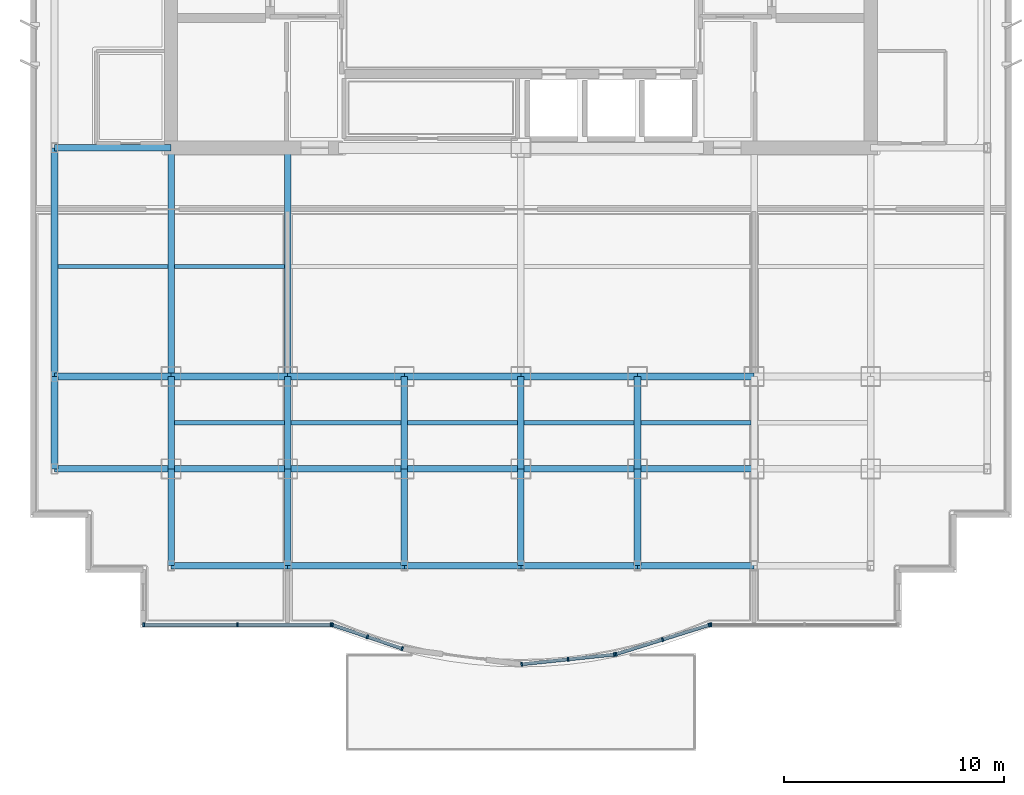
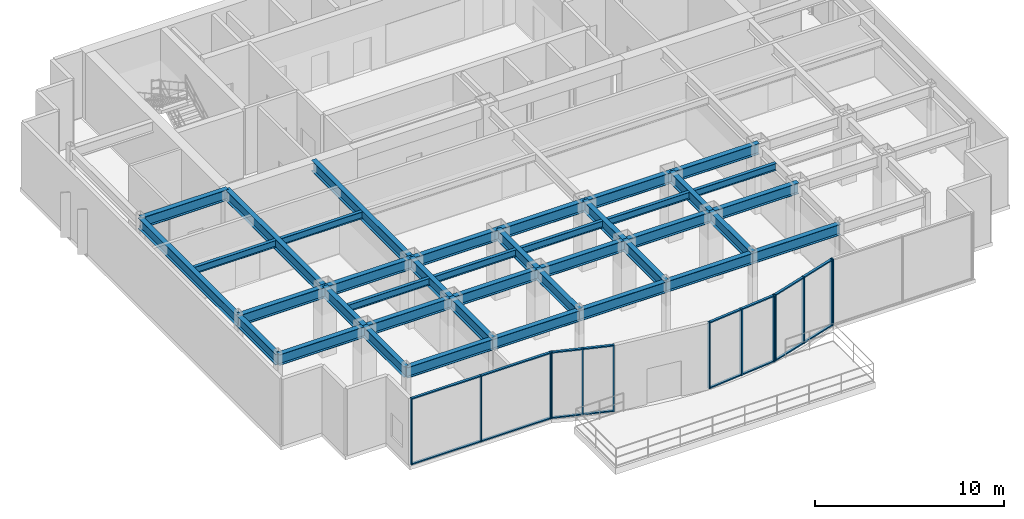
# One storey, part 2 of 9: 39 beams, 29 members, 5 elements without a shape of their own.
"""IFC4 building model written with IfcOpenShell, lengths in metres."""

from ifc_helpers import new_model, si_unit, direction, frame, origin, origin_2d, place, context, subcontext, project, spatial, rectangle, i_section, extrude, source, transform, mapped, material, layer, layer_set, material_profile, profile_set, type_object, element, aggregate, save


model = new_model("IFC4")

# Units and contexts
model_context = context("Model", 3, precision=1e-05, world=origin(), true_north=direction((0.0, 1.0)))
body_context = subcontext(model_context, "Body", "Model", "MODEL_VIEW")
ifc_project = project(units=[si_unit("LENGTHUNIT", "METRE"), si_unit("AREAUNIT", "SQUARE_METRE"), si_unit("VOLUMEUNIT", "CUBIC_METRE"), si_unit("PLANEANGLEUNIT", "RADIAN"), si_unit("MASSUNIT", "GRAM", prefix="KILO")], contexts=[model_context])

# Site, building, storey
site_placement = place(None, origin())
site = spatial("IfcSite", under=ifc_project, at=site_placement, CompositionType="ELEMENT")
building_placement = place(site_placement, origin())
building = spatial("IfcBuilding", under=site, at=building_placement, Name="Qianlan Lanfeng Residences", CompositionType="ELEMENT")
storey_placement = place(building_placement, frame((0.0, 0.0, 134.699951171875)))
storey = spatial("IfcBuildingStorey", under=building, at=storey_placement, Name="L36", CompositionType="ELEMENT", Elevation=134.699951171875)

# Beams
ifc_material_1 = material(Name="Steel SN490B", Category="steel")
ifc_material_profile_1 = material_profile(ifc_material_1, i_section(OverallWidth=0.300048828125, OverallDepth=0.699951171875, WebThickness=0.012939453125, FlangeThickness=0.02392578125, at=origin_2d()), Name="H 700x300x13x24")
ifc_profile_set_1 = profile_set([ifc_material_profile_1], Name="Steel SN490B")
beam_type_1 = type_object("IfcBeamType", Name="G-750", PredefinedType="BEAM", material=ifc_profile_set_1)
beam_1_placement = place(storey_placement, frame((5.300048828125, 10.60009765625, 3.949951171875), z_axis=(1.0, 0.0, 0.0), x_axis=(0.0, 1.0, 0.0)))
element("IfcBeam", 1, at=beam_1_placement, inside=storey, type_object=beam_type_1, Name="Structural beam G-750", PredefinedType="BEAM", context=body_context, shape_type="SweptSolid", body=[
    extrude(i_section(OverallWidth=0.300048828125, OverallDepth=0.699951171875, WebThickness=0.012939453125, FlangeThickness=0.02392578125, at=origin_2d()), origin(), (0.0, 0.0, 1.0), 5.300048828125),
])
beam_2_placement = place(storey_placement, frame((10.60009765625, 10.60009765625, 3.949951171875), z_axis=(1.0, 0.0, 0.0), x_axis=(0.0, 1.0, 0.0)))
element("IfcBeam", 2, at=beam_2_placement, inside=storey, type_object=beam_type_1, Name="Structural beam G-750", PredefinedType="BEAM", context=body_context, shape_type="SweptSolid", body=[
    extrude(i_section(OverallWidth=0.300048828125, OverallDepth=0.699951171875, WebThickness=0.012939453125, FlangeThickness=0.02392578125, at=origin_2d()), origin(), (0.0, 0.0, 1.0), 5.2998046875),
])
for number, where, z_axis, x_axis, name in (
    (3, (15.89990234375, 10.60009765625, 3.949951171875), (1.0, 0.0, 0.0), (0.0, 1.0, 0.0), "Structural beam G-750"),
    (4, (21.199951171875, 10.60009765625, 3.949951171875), (1.0, 0.0, 0.0), (0.0, 1.0, 0.0), "Structural beam G-750"),
    (5, (26.5, 10.60009765625, 3.949951171875), (1.0, 0.0, 0.0), (0.0, 1.0, 0.0), "Structural beam G-750"),
    (6, (31.800048828125, 10.60009765625, 3.949951171875), (1.0, 0.0, 0.0), (0.0, 1.0, 0.0), "Structural beam G-750"),
    (7, (5.300048828125, 14.800048828125, 3.949951171875), (1.0, 0.0, 0.0), (0.0, 1.0, 0.0), "Structural beam G-750"),
):
    element("IfcBeam", number, at=place(storey_placement, frame(where, z_axis=z_axis, x_axis=x_axis)), inside=storey, type_object=beam_type_1, Name=name, PredefinedType="BEAM", context=body_context, shape_type="SweptSolid", body=[
        extrude(i_section(OverallWidth=0.300048828125, OverallDepth=0.699951171875, WebThickness=0.012939453125, FlangeThickness=0.02392578125, at=origin_2d()), origin(), (0.0, 0.0, 1.0), 5.300048828125),
    ])
beam_3_placement = place(storey_placement, frame((10.60009765625, 14.800048828125, 3.949951171875), z_axis=(1.0, 0.0, 0.0), x_axis=(0.0, 1.0, 0.0)))
element("IfcBeam", 8, at=beam_3_placement, inside=storey, type_object=beam_type_1, Name="Structural beam G-750", PredefinedType="BEAM", context=body_context, shape_type="SweptSolid", body=[
    extrude(i_section(OverallWidth=0.300048828125, OverallDepth=0.699951171875, WebThickness=0.012939453125, FlangeThickness=0.02392578125, at=origin_2d()), origin(), (0.0, 0.0, 1.0), 5.2998046875),
])
for number, where, z_axis, x_axis, name in (
    (9, (15.89990234375, 14.800048828125, 3.949951171875), (1.0, 0.0, 0.0), (0.0, 1.0, 0.0), "Structural beam G-750"),
    (10, (21.199951171875, 14.800048828125, 3.949951171875), (1.0, 0.0, 0.0), (0.0, 1.0, 0.0), "Structural beam G-750"),
    (11, (26.5, 14.800048828125, 3.949951171875), (1.0, 0.0, 0.0), (0.0, 1.0, 0.0), "Structural beam G-750"),
    (12, (31.800048828125, 14.800048828125, 3.949951171875), (1.0, 0.0, 0.0), (0.0, 1.0, 0.0), "Structural beam G-750"),
    (13, (5.300048828125, 25.199951171875, 3.949951171875), (1.0, 0.0, 0.0), (0.0, 1.0, 0.0), "Structural beam G-750"),
):
    element("IfcBeam", number, at=place(storey_placement, frame(where, z_axis=z_axis, x_axis=x_axis)), inside=storey, type_object=beam_type_1, Name=name, PredefinedType="BEAM", context=body_context, shape_type="SweptSolid", body=[
        extrude(i_section(OverallWidth=0.300048828125, OverallDepth=0.699951171875, WebThickness=0.012939453125, FlangeThickness=0.02392578125, at=origin_2d()), origin(), (0.0, 0.0, 1.0), 5.300048828125),
    ])
beam_4_placement = place(storey_placement, frame((10.60009765625, 6.199951171875, 3.949951171875), z_axis=(0.0, 1.0, 0.0), x_axis=(-1.0, 0.0, 0.0)))
element("IfcBeam", 14, at=beam_4_placement, inside=storey, type_object=beam_type_1, Name="Structural beam G-750", PredefinedType="BEAM", context=body_context, shape_type="SweptSolid", body=[
    extrude(i_section(OverallWidth=0.300048828125, OverallDepth=0.699951171875, WebThickness=0.012939453125, FlangeThickness=0.02392578125, at=origin_2d()), origin(), (0.0, 0.0, 1.0), 4.400146484375),
])
beam_5_placement = place(storey_placement, frame((10.60009765625, 10.60009765625, 3.949951171875), z_axis=(0.0, 1.0, 0.0), x_axis=(-1.0, 0.0, 0.0)))
element("IfcBeam", 15, at=beam_5_placement, inside=storey, type_object=beam_type_1, Name="Structural beam G-750", PredefinedType="BEAM", context=body_context, shape_type="SweptSolid", body=[
    extrude(i_section(OverallWidth=0.300048828125, OverallDepth=0.699951171875, WebThickness=0.012939453125, FlangeThickness=0.02392578125, at=origin_2d()), origin(), (0.0, 0.0, 1.0), 4.199951171875),
])
beam_6_placement = place(storey_placement, frame((10.60009765625, 14.800048828125, 3.949951171875), z_axis=(0.0, 1.0, 0.0), x_axis=(-1.0, 0.0, 0.0)))
element("IfcBeam", 16, at=beam_6_placement, inside=storey, type_object=beam_type_1, Name="Structural beam G-750", PredefinedType="BEAM", context=body_context, shape_type="SweptSolid", body=[
    extrude(i_section(OverallWidth=0.300048828125, OverallDepth=0.699951171875, WebThickness=0.012939453125, FlangeThickness=0.02392578125, at=origin_2d()), origin(), (0.0, 0.0, 1.0), 10.39990234375),
])
beam_7_placement = place(storey_placement, frame((15.89990234375, 6.199951171875, 3.949951171875), z_axis=(0.0, 1.0, 0.0), x_axis=(-1.0, 0.0, 0.0)))
element("IfcBeam", 17, at=beam_7_placement, inside=storey, type_object=beam_type_1, Name="Structural beam G-750", PredefinedType="BEAM", context=body_context, shape_type="SweptSolid", body=[
    extrude(i_section(OverallWidth=0.300048828125, OverallDepth=0.699951171875, WebThickness=0.012939453125, FlangeThickness=0.02392578125, at=origin_2d()), origin(), (0.0, 0.0, 1.0), 4.400146484375),
])
beam_8_placement = place(storey_placement, frame((15.89990234375, 10.60009765625, 3.949951171875), z_axis=(0.0, 1.0, 0.0), x_axis=(-1.0, 0.0, 0.0)))
element("IfcBeam", 18, at=beam_8_placement, inside=storey, type_object=beam_type_1, Name="Structural beam G-750", PredefinedType="BEAM", context=body_context, shape_type="SweptSolid", body=[
    extrude(i_section(OverallWidth=0.300048828125, OverallDepth=0.699951171875, WebThickness=0.012939453125, FlangeThickness=0.02392578125, at=origin_2d()), origin(), (0.0, 0.0, 1.0), 4.199951171875),
])
beam_9_placement = place(storey_placement, frame((15.89990234375, 14.800048828125, 3.949951171875), z_axis=(0.0, 1.0, 0.0), x_axis=(-1.0, 0.0, 0.0)))
element("IfcBeam", 19, at=beam_9_placement, inside=storey, type_object=beam_type_1, Name="Structural beam G-750", PredefinedType="BEAM", context=body_context, shape_type="SweptSolid", body=[
    extrude(i_section(OverallWidth=0.300048828125, OverallDepth=0.699951171875, WebThickness=0.012939453125, FlangeThickness=0.02392578125, at=origin_2d()), origin(), (0.0, 0.0, 1.0), 10.39990234375),
])
beam_10_placement = place(storey_placement, frame((21.199951171875, 6.199951171875, 3.949951171875), z_axis=(0.0, 1.0, 0.0), x_axis=(-1.0, 0.0, 0.0)))
element("IfcBeam", 20, at=beam_10_placement, inside=storey, type_object=beam_type_1, Name="Structural beam G-750", PredefinedType="BEAM", context=body_context, shape_type="SweptSolid", body=[
    extrude(i_section(OverallWidth=0.300048828125, OverallDepth=0.699951171875, WebThickness=0.012939453125, FlangeThickness=0.02392578125, at=origin_2d()), origin(), (0.0, 0.0, 1.0), 4.400146484375),
])
beam_11_placement = place(storey_placement, frame((21.199951171875, 10.60009765625, 3.949951171875), z_axis=(0.0, 1.0, 0.0), x_axis=(-1.0, 0.0, 0.0)))
element("IfcBeam", 21, at=beam_11_placement, inside=storey, type_object=beam_type_1, Name="Structural beam G-750", PredefinedType="BEAM", context=body_context, shape_type="SweptSolid", body=[
    extrude(i_section(OverallWidth=0.300048828125, OverallDepth=0.699951171875, WebThickness=0.012939453125, FlangeThickness=0.02392578125, at=origin_2d()), origin(), (0.0, 0.0, 1.0), 4.199951171875),
])
beam_12_placement = place(storey_placement, frame((26.5, 6.199951171875, 3.949951171875), z_axis=(0.0, 1.0, 0.0), x_axis=(-1.0, 0.0, 0.0)))
element("IfcBeam", 22, at=beam_12_placement, inside=storey, type_object=beam_type_1, Name="Structural beam G-750", PredefinedType="BEAM", context=body_context, shape_type="SweptSolid", body=[
    extrude(i_section(OverallWidth=0.300048828125, OverallDepth=0.699951171875, WebThickness=0.012939453125, FlangeThickness=0.02392578125, at=origin_2d()), origin(), (0.0, 0.0, 1.0), 4.400146484375),
])
beam_13_placement = place(storey_placement, frame((26.5, 10.60009765625, 3.949951171875), z_axis=(0.0, 1.0, 0.0), x_axis=(-1.0, 0.0, 0.0)))
element("IfcBeam", 23, at=beam_13_placement, inside=storey, type_object=beam_type_1, Name="Structural beam G-750", PredefinedType="BEAM", context=body_context, shape_type="SweptSolid", body=[
    extrude(i_section(OverallWidth=0.300048828125, OverallDepth=0.699951171875, WebThickness=0.012939453125, FlangeThickness=0.02392578125, at=origin_2d()), origin(), (0.0, 0.0, 1.0), 4.199951171875),
])
beam_14_placement = place(storey_placement, frame((31.800048828125, 6.199951171875, 3.949951171875), z_axis=(0.0, 1.0, 0.0), x_axis=(-1.0, 0.0, 0.0)))
element("IfcBeam", 24, at=beam_14_placement, inside=storey, type_object=beam_type_1, Name="Structural beam G-750", PredefinedType="BEAM", context=body_context, shape_type="SweptSolid", body=[
    extrude(i_section(OverallWidth=0.300048828125, OverallDepth=0.699951171875, WebThickness=0.012939453125, FlangeThickness=0.02392578125, at=origin_2d()), origin(), (0.0, 0.0, 1.0), 4.400146484375),
])
beam_15_placement = place(storey_placement, frame((31.800048828125, 10.60009765625, 3.949951171875), z_axis=(0.0, 1.0, 0.0), x_axis=(-1.0, 0.0, 0.0)))
element("IfcBeam", 25, at=beam_15_placement, inside=storey, type_object=beam_type_1, Name="Structural beam G-750", PredefinedType="BEAM", context=body_context, shape_type="SweptSolid", body=[
    extrude(i_section(OverallWidth=0.300048828125, OverallDepth=0.699951171875, WebThickness=0.012939453125, FlangeThickness=0.02392578125, at=origin_2d()), origin(), (0.0, 0.0, 1.0), 4.199951171875),
])
ifc_material_profile_2 = material_profile(ifc_material_1, i_section(OverallWidth=0.199951171875, OverallDepth=0.449951171875, WebThickness=0.009033203125, FlangeThickness=0.013916015625, at=origin_2d()), Name="H 450x200x9x14")
ifc_profile_set_2 = profile_set([ifc_material_profile_2], Name="Steel SN490B")
beam_type_2 = type_object("IfcBeamType", Name="J-450", PredefinedType="JOIST", material=ifc_profile_set_2)
for number, where, z_axis, x_axis, name in (
    (26, (10.75, 12.699951171875, 4.074951171875), (1.0, 0.0, 0.0), (0.0, 1.0, 0.0), "Structural beam J-450"),
    (27, (16.050048828125, 12.699951171875, 4.074951171875), (1.0, 0.0, 0.0), (0.0, 1.0, 0.0), "Structural beam J-450"),
    (28, (21.35009765625, 12.699951171875, 4.074951171875), (1.0, 0.0, 0.0), (0.0, 1.0, 0.0), "Structural beam J-450"),
    (29, (26.64990234375, 12.699951171875, 4.074951171875), (1.0, 0.0, 0.0), (0.0, 1.0, 0.0), "Structural beam J-450"),
    (30, (31.949951171875, 12.699951171875, 4.074951171875), (1.0, 0.0, 0.0), (0.0, 1.0, 0.0), "Structural beam J-450"),
    (31, (5.449951171875, 19.800048828125, 4.074951171875), (1.0, 0.0, 0.0), (0.0, 1.0, 0.0), "Structural beam J-450"),
    (32, (10.75, 19.800048828125, 4.074951171875), (1.0, 0.0, 0.0), (0.0, 1.0, 0.0), "Structural beam J-450"),
):
    element("IfcBeam", number, at=place(storey_placement, frame(where, z_axis=z_axis, x_axis=x_axis)), inside=storey, type_object=beam_type_2, Name=name, PredefinedType="JOIST", context=body_context, shape_type="SweptSolid", body=[
        extrude(i_section(OverallWidth=0.199951171875, OverallDepth=0.449951171875, WebThickness=0.009033203125, FlangeThickness=0.013916015625, at=origin_2d()), origin(), (0.0, 0.0, 1.0), 5.0),
    ])
ifc_material_profile_3 = material_profile(ifc_material_1, i_section(OverallWidth=0.300048828125, OverallDepth=0.699951171875, WebThickness=0.012939453125, FlangeThickness=0.02392578125, at=origin_2d()), Name="H 700x300x13x24")
ifc_profile_set_3 = profile_set([ifc_material_profile_3], Name="Steel SN490B")
beam_type_3 = type_object("IfcBeamType", Name="SG-750", PredefinedType="SPANDREL", material=ifc_profile_set_3)
beam_16_placement = place(storey_placement, frame((10.60009765625, 6.199951171875, 3.93994140625), z_axis=(1.0, 0.0, 0.0), x_axis=(0.0, 1.0, 0.0)))
element("IfcBeam", 33, at=beam_16_placement, inside=storey, type_object=beam_type_3, Name="Structural beam SG-750", PredefinedType="SPANDREL", context=body_context, shape_type="SweptSolid", body=[
    extrude(i_section(OverallWidth=0.300048828125, OverallDepth=0.699951171875, WebThickness=0.012939453125, FlangeThickness=0.02392578125, at=origin_2d()), origin(), (0.0, 0.0, 1.0), 5.2998046875),
])
for number, where, z_axis, x_axis, name in (
    (34, (15.89990234375, 6.199951171875, 3.93994140625), (1.0, 0.0, 0.0), (0.0, 1.0, 0.0), "Structural beam SG-750"),
    (35, (21.199951171875, 6.199951171875, 3.93994140625), (1.0, 0.0, 0.0), (0.0, 1.0, 0.0), "Structural beam SG-750"),
    (36, (26.5, 6.199951171875, 3.93994140625), (1.0, 0.0, 0.0), (0.0, 1.0, 0.0), "Structural beam SG-750"),
    (37, (31.800048828125, 6.199951171875, 3.93994140625), (1.0, 0.0, 0.0), (0.0, 1.0, 0.0), "Structural beam SG-750"),
):
    element("IfcBeam", number, at=place(storey_placement, frame(where, z_axis=z_axis, x_axis=x_axis)), inside=storey, type_object=beam_type_3, Name=name, PredefinedType="SPANDREL", context=body_context, shape_type="SweptSolid", body=[
        extrude(i_section(OverallWidth=0.300048828125, OverallDepth=0.699951171875, WebThickness=0.012939453125, FlangeThickness=0.02392578125, at=origin_2d()), origin(), (0.0, 0.0, 1.0), 5.300048828125),
    ])
beam_17_placement = place(storey_placement, frame((5.300048828125, 10.60009765625, 3.93994140625), z_axis=(0.0, 1.0, 0.0), x_axis=(-1.0, 0.0, 0.0)))
element("IfcBeam", 38, at=beam_17_placement, inside=storey, type_object=beam_type_3, Name="Structural beam SG-750", PredefinedType="SPANDREL", context=body_context, shape_type="SweptSolid", body=[
    extrude(i_section(OverallWidth=0.300048828125, OverallDepth=0.699951171875, WebThickness=0.012939453125, FlangeThickness=0.02392578125, at=origin_2d()), origin(), (0.0, 0.0, 1.0), 4.199951171875),
])
beam_18_placement = place(storey_placement, frame((5.300048828125, 14.800048828125, 3.93994140625), z_axis=(0.0, 1.0, 0.0), x_axis=(-1.0, 0.0, 0.0)))
element("IfcBeam", 39, at=beam_18_placement, inside=storey, type_object=beam_type_3, Name="Structural beam SG-750", PredefinedType="SPANDREL", context=body_context, shape_type="SweptSolid", body=[
    extrude(i_section(OverallWidth=0.300048828125, OverallDepth=0.699951171875, WebThickness=0.012939453125, FlangeThickness=0.02392578125, at=origin_2d()), origin(), (0.0, 0.0, 1.0), 10.39990234375),
])

# Curtain wall, members
ifc_material_2 = material(Name="Anodised Bronze Aluminium 6063-T6", Category="aluminium")
ifc_layer = layer(ifc_material_2, 0.219970703125)
ifc_layer_set = layer_set([ifc_layer], Name="Anodised Bronze Aluminium 6063-T6")
curtain_wall_type = type_object("IfcCurtainWallType", Name="CW-04", PredefinedType="NOTDEFINED", material=ifc_layer_set)
curtain_wall_1_placement = place(storey_placement, origin())
curtain_wall_1 = element("IfcCurtainWall", 40, at=curtain_wall_1_placement, inside=storey, type_object=curtain_wall_type, Name="L36 Unitised Curtain Wall CWR-L36-01 (CW-04)", PredefinedType="NOTDEFINED")
ifc_material_profile_4 = material_profile(ifc_material_2, rectangle(XDim=0.074951171875, YDim=0.179931640625, at=origin_2d()), Name="ALU MULLION 75x180")
ifc_profile_set_4 = profile_set([ifc_material_profile_4], Name="Anodised Bronze Aluminium 6063-T6")
member_type_1 = type_object("IfcMemberType", Name="CWM-180", PredefinedType="MULLION", material=ifc_profile_set_4)
shared_shape_1 = source(origin(), body_context, "Body", "SweptSolid", [
    extrude(rectangle(XDim=0.074951171875, YDim=0.179931640625, at=origin_2d()), origin(), (0.0, 0.0, 1.0), 4.300048828125),
])
member_1_placement = place(storey_placement, frame((9.357421875, 3.52001953125, 0.0), z_axis=(0.0, 0.0, 1.0), x_axis=(1.0, 0.0, 0.0)))
member_1 = element("IfcMember", 41, at=member_1_placement, type_object=member_type_1, Name="CWR-L36-01 Mullion 1", PredefinedType="MULLION", context=body_context, shape_type="MappedRepresentation", body=[
    mapped(shared_shape_1, transform((0.0, 0.0, 0.0), scale=1.0)),
])
member_2_placement = place(storey_placement, frame((13.611572265625, 3.52001953125, 0.0), z_axis=(0.0, 0.0, 1.0), x_axis=(1.0, 0.0, 0.0)))
member_2 = element("IfcMember", 42, at=member_2_placement, type_object=member_type_1, Name="CWR-L36-01 Mullion 2", PredefinedType="MULLION", context=body_context, shape_type="MappedRepresentation", body=[
    mapped(shared_shape_1, transform((0.0, 0.0, 0.0), scale=1.0)),
])
member_3_placement = place(storey_placement, frame((17.865478515625, 3.52001953125, 0.0), z_axis=(0.0, 0.0, 1.0), x_axis=(1.0, 0.0, 0.0)))
member_3 = element("IfcMember", 43, at=member_3_placement, type_object=member_type_1, Name="CWR-L36-01 Mullion 3", PredefinedType="MULLION", context=body_context, shape_type="MappedRepresentation", body=[
    mapped(shared_shape_1, transform((0.0, 0.0, 0.0), scale=1.0)),
])

curtain_wall_2_placement = place(storey_placement, origin())
curtain_wall_2 = element("IfcCurtainWall", 44, at=curtain_wall_2_placement, inside=storey, type_object=curtain_wall_type, Name="L36 Unitised Curtain Wall CWR-L36-02 (CW-04)", PredefinedType="NOTDEFINED")
member_4_placement = place(storey_placement, frame((17.9384765625, 3.5078125, 0.0), z_axis=(0.0, 0.0, 1.0), x_axis=(0.946795963885, -0.321834433787, 0.0)))
member_4 = element("IfcMember", 45, at=member_4_placement, type_object=member_type_1, Name="CWR-L36-02 Mullion 1", PredefinedType="MULLION", context=body_context, shape_type="MappedRepresentation", body=[
    mapped(shared_shape_1, transform((0.0, 0.0, 0.0), scale=1.0)),
])
member_5_placement = place(storey_placement, frame((19.5224609375, 2.969482421875, 0.0), z_axis=(0.0, 0.0, 1.0), x_axis=(0.946795963885, -0.321834433787, 0.0)))
member_5 = element("IfcMember", 46, at=member_5_placement, type_object=member_type_1, Name="CWR-L36-02 Mullion 2", PredefinedType="MULLION", context=body_context, shape_type="MappedRepresentation", body=[
    mapped(shared_shape_1, transform((0.0, 0.0, 0.0), scale=1.0)),
])
member_6_placement = place(storey_placement, frame((21.1064453125, 2.43115234375, 0.0), z_axis=(0.0, 0.0, 1.0), x_axis=(0.946795963885, -0.321834433787, 0.0)))
member_6 = element("IfcMember", 47, at=member_6_placement, type_object=member_type_1, Name="CWR-L36-02 Mullion 3", PredefinedType="MULLION", context=body_context, shape_type="MappedRepresentation", body=[
    mapped(shared_shape_1, transform((0.0, 0.0, 0.0), scale=1.0)),
])

curtain_wall_3_placement = place(storey_placement, origin())
curtain_wall_3 = element("IfcCurtainWall", 48, at=curtain_wall_3_placement, inside=storey, type_object=curtain_wall_type, Name="L36 Unitised Curtain Wall CWR-L36-03 (CW-04)", PredefinedType="NOTDEFINED")
member_7_placement = place(storey_placement, frame((26.537353515625, 1.723876953125, 0.0), z_axis=(0.0, 0.0, 1.0), x_axis=(0.994579031105, 0.103983416397, 0.0)))
member_7 = element("IfcMember", 49, at=member_7_placement, type_object=member_type_1, Name="CWR-L36-03 Mullion 1", PredefinedType="MULLION", context=body_context, shape_type="MappedRepresentation", body=[
    mapped(shared_shape_1, transform((0.0, 0.0, 0.0), scale=1.0)),
])
member_8_placement = place(storey_placement, frame((28.642578125, 1.944091796875, 0.0), z_axis=(0.0, 0.0, 1.0), x_axis=(0.994579031105, 0.103983416397, 0.0)))
member_8 = element("IfcMember", 50, at=member_8_placement, type_object=member_type_1, Name="CWR-L36-03 Mullion 2", PredefinedType="MULLION", context=body_context, shape_type="MappedRepresentation", body=[
    mapped(shared_shape_1, transform((0.0, 0.0, 0.0), scale=1.0)),
])
member_9_placement = place(storey_placement, frame((30.747802734375, 2.1640625, 0.0), z_axis=(0.0, 0.0, 1.0), x_axis=(0.994579031105, 0.103983416397, 0.0)))
member_9 = element("IfcMember", 51, at=member_9_placement, type_object=member_type_1, Name="CWR-L36-03 Mullion 3", PredefinedType="MULLION", context=body_context, shape_type="MappedRepresentation", body=[
    mapped(shared_shape_1, transform((0.0, 0.0, 0.0), scale=1.0)),
])

curtain_wall_4_placement = place(storey_placement, origin())
curtain_wall_4 = element("IfcCurtainWall", 52, at=curtain_wall_4_placement, inside=storey, type_object=curtain_wall_type, Name="L36 Unitised Curtain Wall CWR-L36-04 (CW-04)", PredefinedType="NOTDEFINED")
member_10_placement = place(storey_placement, frame((30.82080078125, 2.17919921875, 0.0), z_axis=(0.0, 0.0, 1.0), x_axis=(0.954195954421, 0.299182353367, 0.0)))
member_10 = element("IfcMember", 53, at=member_10_placement, type_object=member_type_1, Name="CWR-L36-04 Mullion 1", PredefinedType="MULLION", context=body_context, shape_type="MappedRepresentation", body=[
    mapped(shared_shape_1, transform((0.0, 0.0, 0.0), scale=1.0)),
])
member_11_placement = place(storey_placement, frame((32.94091796875, 2.843994140625, 0.0), z_axis=(0.0, 0.0, 1.0), x_axis=(0.954195954421, 0.299182353367, 0.0)))
member_11 = element("IfcMember", 54, at=member_11_placement, type_object=member_type_1, Name="CWR-L36-04 Mullion 2", PredefinedType="MULLION", context=body_context, shape_type="MappedRepresentation", body=[
    mapped(shared_shape_1, transform((0.0, 0.0, 0.0), scale=1.0)),
])
member_12_placement = place(storey_placement, frame((35.061279296875, 3.5087890625, 0.0), z_axis=(0.0, 0.0, 1.0), x_axis=(0.954195954421, 0.299182353367, 0.0)))
member_12 = element("IfcMember", 55, at=member_12_placement, type_object=member_type_1, Name="CWR-L36-04 Mullion 3", PredefinedType="MULLION", context=body_context, shape_type="MappedRepresentation", body=[
    mapped(shared_shape_1, transform((0.0, 0.0, 0.0), scale=1.0)),
])

# Curtain wall, member
curtain_wall_5_placement = place(storey_placement, origin())
curtain_wall_5 = element("IfcCurtainWall", 56, at=curtain_wall_5_placement, inside=storey, type_object=curtain_wall_type, Name="L36 Unitised Curtain Wall CWR-L36-05 (CW-04)", PredefinedType="NOTDEFINED")
member_13_placement = place(storey_placement, frame((35.134521484375, 3.52001953125, 0.0), z_axis=(0.0, 0.0, 1.0), x_axis=(1.0, 0.0, 0.0)))
member_13 = element("IfcMember", 57, at=member_13_placement, type_object=member_type_1, Name="CWR-L36-05 Mullion 1", PredefinedType="MULLION", context=body_context, shape_type="MappedRepresentation", body=[
    mapped(shared_shape_1, transform((0.0, 0.0, 0.0), scale=1.0)),
])
aggregate(curtain_wall_5, [member_13])

# Member
ifc_material_profile_5 = material_profile(ifc_material_2, rectangle(XDim=0.074951171875, YDim=0.14990234375, at=origin_2d()), Name="ALU TRANSOM 75x150")
ifc_profile_set_5 = profile_set([ifc_material_profile_5], Name="Anodised Bronze Aluminium 6063-T6")
member_type_2 = type_object("IfcMemberType", Name="CWT-150", PredefinedType="USERDEFINED", material=ifc_profile_set_5)
shared_shape_2 = source(origin(), body_context, "Body", "SweptSolid", [
    extrude(rectangle(XDim=0.074951171875, YDim=0.14990234375, at=origin_2d()), origin(), (0.0, 0.0, 1.0), 4.178955078125),
])
member_14_placement = place(storey_placement, frame((9.39501953125, 3.52001953125, 0.03759765625), z_axis=(1.0, 0.0, 0.0), x_axis=(0.0, 0.0, 1.0)))
member_14 = element("IfcMember", 58, at=member_14_placement, type_object=member_type_2, Name="CWR-L36-01 Transom 1-BOT", ObjectType="TRANSOM", PredefinedType="USERDEFINED", context=body_context, shape_type="MappedRepresentation", body=[
    mapped(shared_shape_2, transform((0.0, 0.0, 0.0), scale=1.0)),
])

member_15_placement = place(storey_placement, frame((9.39501953125, 3.52001953125, 4.262451171875), z_axis=(1.0, 0.0, 0.0), x_axis=(0.0, 0.0, 1.0)))
member_15 = element("IfcMember", 59, at=member_15_placement, type_object=member_type_2, Name="CWR-L36-01 Transom 1-TOP", ObjectType="TRANSOM", PredefinedType="USERDEFINED", context=body_context, shape_type="MappedRepresentation", body=[
    mapped(shared_shape_2, transform((0.0, 0.0, 0.0), scale=1.0)),
])

member_16_placement = place(storey_placement, frame((13.64892578125, 3.52001953125, 0.03759765625), z_axis=(1.0, 0.0, 0.0), x_axis=(0.0, 0.0, 1.0)))
member_16 = element("IfcMember", 60, at=member_16_placement, type_object=member_type_2, Name="CWR-L36-01 Transom 2-BOT", ObjectType="TRANSOM", PredefinedType="USERDEFINED", context=body_context, shape_type="MappedRepresentation", body=[
    mapped(shared_shape_2, transform((0.0, 0.0, 0.0), scale=1.0)),
])

member_17_placement = place(storey_placement, frame((13.64892578125, 3.52001953125, 4.262451171875), z_axis=(1.0, 0.0, 0.0), x_axis=(0.0, 0.0, 1.0)))
member_17 = element("IfcMember", 61, at=member_17_placement, type_object=member_type_2, Name="CWR-L36-01 Transom 2-TOP", ObjectType="TRANSOM", PredefinedType="USERDEFINED", context=body_context, shape_type="MappedRepresentation", body=[
    mapped(shared_shape_2, transform((0.0, 0.0, 0.0), scale=1.0)),
])

aggregate(curtain_wall_1, [member_1, member_2, member_3, member_14, member_15, member_16, member_17])

shared_shape_3 = source(origin(), body_context, "Body", "SweptSolid", [
    extrude(rectangle(XDim=0.074951171875, YDim=0.14990234375, at=origin_2d()), origin(), (0.0, 0.0, 1.0), 1.597900390625),
])
member_18_placement = place(storey_placement, frame((17.97412109375, 3.495849609375, 0.03759765625), z_axis=(0.946818368584, -0.321768514481, 0.0), x_axis=(0.0, 0.0, 1.0)))
member_18 = element("IfcMember", 62, at=member_18_placement, type_object=member_type_2, Name="CWR-L36-02 Transom 1-BOT", ObjectType="TRANSOM", PredefinedType="USERDEFINED", context=body_context, shape_type="MappedRepresentation", body=[
    mapped(shared_shape_3, transform((0.0, 0.0, 0.0), scale=1.0)),
])

member_19_placement = place(storey_placement, frame((17.97412109375, 3.495849609375, 4.262451171875), z_axis=(0.946818368584, -0.321768514481, 0.0), x_axis=(0.0, 0.0, 1.0)))
member_19 = element("IfcMember", 63, at=member_19_placement, type_object=member_type_2, Name="CWR-L36-02 Transom 1-TOP", ObjectType="TRANSOM", PredefinedType="USERDEFINED", context=body_context, shape_type="MappedRepresentation", body=[
    mapped(shared_shape_3, transform((0.0, 0.0, 0.0), scale=1.0)),
])

member_20_placement = place(storey_placement, frame((19.55810546875, 2.95751953125, 0.03759765625), z_axis=(0.94677181357, -0.321905472195, 0.0), x_axis=(0.0, 0.0, 1.0)))
member_20 = element("IfcMember", 64, at=member_20_placement, type_object=member_type_2, Name="CWR-L36-02 Transom 2-BOT", ObjectType="TRANSOM", PredefinedType="USERDEFINED", context=body_context, shape_type="MappedRepresentation", body=[
    mapped(shared_shape_3, transform((0.0, 0.0, 0.0), scale=1.0)),
])

member_21_placement = place(storey_placement, frame((19.55810546875, 2.95751953125, 4.262451171875), z_axis=(0.94677181357, -0.321905472195, 0.0), x_axis=(0.0, 0.0, 1.0)))
member_21 = element("IfcMember", 65, at=member_21_placement, type_object=member_type_2, Name="CWR-L36-02 Transom 2-TOP", ObjectType="TRANSOM", PredefinedType="USERDEFINED", context=body_context, shape_type="MappedRepresentation", body=[
    mapped(shared_shape_3, transform((0.0, 0.0, 0.0), scale=1.0)),
])

aggregate(curtain_wall_2, [member_4, member_5, member_6, member_18, member_19, member_20, member_21])

shared_shape_4 = source(origin(), body_context, "Body", "SweptSolid", [
    extrude(rectangle(XDim=0.074951171875, YDim=0.14990234375, at=origin_2d()), origin(), (0.0, 0.0, 1.0), 2.04150390625),
])
member_22_placement = place(storey_placement, frame((26.57470703125, 1.727783203125, 0.03759765625), z_axis=(0.994573388245, 0.104037374988, 0.0), x_axis=(0.0, 0.0, 1.0)))
member_22 = element("IfcMember", 66, at=member_22_placement, type_object=member_type_2, Name="CWR-L36-03 Transom 1-BOT", ObjectType="TRANSOM", PredefinedType="USERDEFINED", context=body_context, shape_type="MappedRepresentation", body=[
    mapped(shared_shape_4, transform((0.0, 0.0, 0.0), scale=1.0)),
])

member_23_placement = place(storey_placement, frame((26.57470703125, 1.727783203125, 4.262451171875), z_axis=(0.994573388245, 0.104037374988, 0.0), x_axis=(0.0, 0.0, 1.0)))
member_23 = element("IfcMember", 67, at=member_23_placement, type_object=member_type_2, Name="CWR-L36-03 Transom 1-TOP", ObjectType="TRANSOM", PredefinedType="USERDEFINED", context=body_context, shape_type="MappedRepresentation", body=[
    mapped(shared_shape_4, transform((0.0, 0.0, 0.0), scale=1.0)),
])

shared_shape_5 = source(origin(), body_context, "Body", "SweptSolid", [
    extrude(rectangle(XDim=0.074951171875, YDim=0.14990234375, at=origin_2d()), origin(), (0.0, 0.0, 1.0), 2.041748046875),
])
member_24_placement = place(storey_placement, frame((28.6796875, 1.947998046875, 0.03759765625), z_axis=(0.994587046158, 0.103906725548, 0.0), x_axis=(0.0, 0.0, 1.0)))
member_24 = element("IfcMember", 68, at=member_24_placement, type_object=member_type_2, Name="CWR-L36-03 Transom 2-BOT", ObjectType="TRANSOM", PredefinedType="USERDEFINED", context=body_context, shape_type="MappedRepresentation", body=[
    mapped(shared_shape_5, transform((0.0, 0.0, 0.0), scale=1.0)),
])

member_25_placement = place(storey_placement, frame((28.6796875, 1.947998046875, 4.262451171875), z_axis=(0.994587046158, 0.103906725548, 0.0), x_axis=(0.0, 0.0, 1.0)))
member_25 = element("IfcMember", 69, at=member_25_placement, type_object=member_type_2, Name="CWR-L36-03 Transom 2-TOP", ObjectType="TRANSOM", PredefinedType="USERDEFINED", context=body_context, shape_type="MappedRepresentation", body=[
    mapped(shared_shape_5, transform((0.0, 0.0, 0.0), scale=1.0)),
])

aggregate(curtain_wall_3, [member_7, member_8, member_9, member_22, member_23, member_24, member_25])

shared_shape_6 = source(origin(), body_context, "Body", "SweptSolid", [
    extrude(rectangle(XDim=0.074951171875, YDim=0.14990234375, at=origin_2d()), origin(), (0.0, 0.0, 1.0), 2.14697265625),
])
member_26_placement = place(storey_placement, frame((30.856689453125, 2.1904296875, 0.03759765625), z_axis=(0.954194238714, 0.299187825296, 0.0), x_axis=(0.0, 0.0, 1.0)))
member_26 = element("IfcMember", 70, at=member_26_placement, type_object=member_type_2, Name="CWR-L36-04 Transom 1-BOT", ObjectType="TRANSOM", PredefinedType="USERDEFINED", context=body_context, shape_type="MappedRepresentation", body=[
    mapped(shared_shape_6, transform((0.0, 0.0, 0.0), scale=1.0)),
])

member_27_placement = place(storey_placement, frame((30.856689453125, 2.1904296875, 4.262451171875), z_axis=(0.954194238714, 0.299187825296, 0.0), x_axis=(0.0, 0.0, 1.0)))
member_27 = element("IfcMember", 71, at=member_27_placement, type_object=member_type_2, Name="CWR-L36-04 Transom 1-TOP", ObjectType="TRANSOM", PredefinedType="USERDEFINED", context=body_context, shape_type="MappedRepresentation", body=[
    mapped(shared_shape_6, transform((0.0, 0.0, 0.0), scale=1.0)),
])

member_28_placement = place(storey_placement, frame((32.976806640625, 2.855224609375, 0.03759765625), z_axis=(0.954194238714, 0.299187825296, 0.0), x_axis=(0.0, 0.0, 1.0)))
member_28 = element("IfcMember", 72, at=member_28_placement, type_object=member_type_2, Name="CWR-L36-04 Transom 2-BOT", ObjectType="TRANSOM", PredefinedType="USERDEFINED", context=body_context, shape_type="MappedRepresentation", body=[
    mapped(shared_shape_6, transform((0.0, 0.0, 0.0), scale=1.0)),
])

member_29_placement = place(storey_placement, frame((32.976806640625, 2.855224609375, 4.262451171875), z_axis=(0.954194238714, 0.299187825296, 0.0), x_axis=(0.0, 0.0, 1.0)))
member_29 = element("IfcMember", 73, at=member_29_placement, type_object=member_type_2, Name="CWR-L36-04 Transom 2-TOP", ObjectType="TRANSOM", PredefinedType="USERDEFINED", context=body_context, shape_type="MappedRepresentation", body=[
    mapped(shared_shape_6, transform((0.0, 0.0, 0.0), scale=1.0)),
])

aggregate(curtain_wall_4, [member_10, member_11, member_12, member_26, member_27, member_28, member_29])

save(model, "model.ifc")
